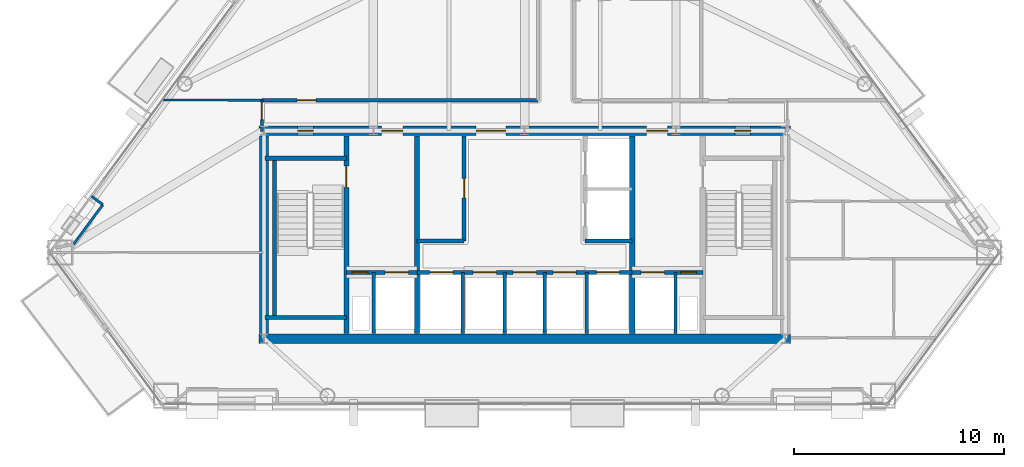
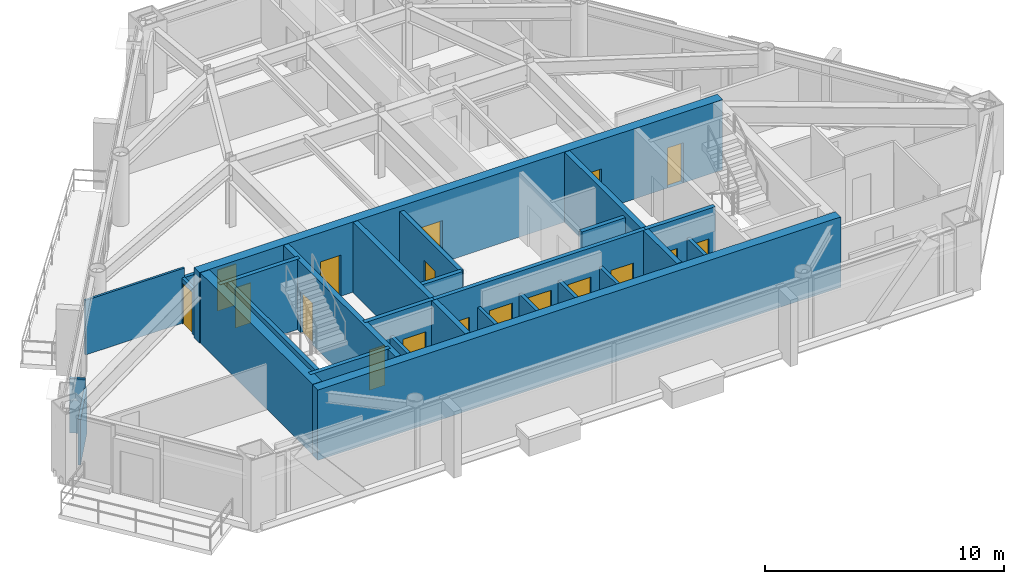
# One storey, part 7 of 11: 26 walls, 18 doors, 18 openings.
"""IFC4 building model written with IfcOpenShell, lengths in metres."""

from ifc_helpers import new_model, si_unit, direction, frame, frame_2d, origin, place, context, subcontext, project, spatial, rectangle, extrude, material, layer, layer_set, type_object, element, fill, save


model = new_model("IFC4")

# Units and contexts
model_context = context("Model", 3, precision=1e-05, world=origin(), true_north=direction((0.0, 1.0)))
body_context = subcontext(model_context, "Body", "Model", "MODEL_VIEW")
ifc_project = project(units=[si_unit("LENGTHUNIT", "METRE"), si_unit("AREAUNIT", "SQUARE_METRE"), si_unit("VOLUMEUNIT", "CUBIC_METRE"), si_unit("PLANEANGLEUNIT", "RADIAN"), si_unit("MASSUNIT", "GRAM", prefix="KILO")], contexts=[model_context])

# Site, building, storey
site_placement = place(None, origin())
site = spatial("IfcSite", under=ifc_project, at=site_placement, CompositionType="ELEMENT")
building_placement = place(site_placement, origin())
building = spatial("IfcBuilding", under=site, at=building_placement, Name="Talgorran Terracotta Tower", CompositionType="ELEMENT")
storey_placement = place(building_placement, frame((0.0, 0.0, 129.300048828125)))
storey = spatial("IfcBuildingStorey", under=building, at=storey_placement, Name="L33", CompositionType="ELEMENT", Elevation=129.300048828125)

# Walls
ifc_material_1 = material(Name="Concrete C50/60", Category="concrete")
ifc_layer_1 = layer(ifc_material_1, 0.199951171875, Name="WT_CORE_200")
ifc_layer_set_1 = layer_set([ifc_layer_1], Name="Concrete C50/60")
wall_type_1 = type_object("IfcWallType", Name="WT_CORE_200", PredefinedType="SOLIDWALL", material=ifc_layer_set_1)
for number, where, z_axis, x_axis, name in (
    (1, (-12.35009765625, -5.52001953125, 0.0), (0.0, 0.0, 1.0), (1.0, 0.0, 0.0), "WL-L33-CW-ST1-N"),
    (2, (-12.35009765625, -13.10009765625, 0.0), (0.0, 0.0, 1.0), (1.0, 0.0, 0.0), "WL-L33-CW-ST1-S"),
):
    element("IfcWall", number, at=place(storey_placement, frame(where, z_axis=z_axis, x_axis=x_axis)), inside=storey, type_object=wall_type_1, Name=name, PredefinedType="SOLIDWALL", context=body_context, shape_type="SweptSolid", body=[
        extrude(rectangle(XDim=3.8701171875, YDim=0.199951171875, at=frame_2d((1.93505859375, 0.0))), origin(), (0.0, 0.0, 1.0), 3.599853515625),
    ])
wall_1_placement = place(storey_placement, frame((-11.89990234375, -13.10009765625, 0.0), z_axis=(0.0, 0.0, 1.0), x_axis=(0.0, 1.0, 0.0)))
element("IfcWall", 3, at=wall_1_placement, inside=storey, type_object=wall_type_1, Name="WL-L33-CW-ST1-W", PredefinedType="SOLIDWALL", context=body_context, shape_type="SweptSolid", body=[
    extrude(rectangle(XDim=7.580078125, YDim=0.199951171875, at=frame_2d((3.7900390625, 0.0))), origin(), (0.0, 0.0, 1.0), 3.599853515625),
])

# Wall, openings, doors
wall_2_placement = place(storey_placement, frame((-8.47998046875, -10.949951171875, 0.0), z_axis=(0.0, 0.0, 1.0), x_axis=(1.0, 0.0, 0.0)))
wall_2 = element("IfcWall", 4, at=wall_2_placement, inside=storey, type_object=wall_type_1, Name="WL-L33-CW-H-SBW", PredefinedType="SOLIDWALL", context=body_context, shape_type="SweptSolid", body=[
    extrude(rectangle(XDim=3.35986328125, YDim=0.199951171875, at=frame_2d((1.679931640625, 0.0))), origin(), (0.0, 0.0, 1.0), 3.599853515625),
])
opening_1_placement = place(wall_2_placement, frame((0.280029296875, 0.0, 0.0)))
opening_1 = element("IfcOpeningElement", 5, at=opening_1_placement, cuts=wall_2, Name="Opening DR-RSW", PredefinedType="OPENING", context=body_context, shape_type="SweptSolid", body=[
    extrude(rectangle(XDim=0.756, YDim=2.054048828125, at=frame_2d((0.375, 1.027099609375))), frame((0.0, 0.10986328125, 0.0), z_axis=(0.0, -1.0, 0.0), x_axis=(1.0, 0.0, 0.0)), (0.0, 0.0, 1.0), 0.219970703125),
])
opening_2_placement = place(wall_2_placement, frame((1.85009765625, 0.0, 0.0)))
opening_2 = element("IfcOpeningElement", 6, at=opening_2_placement, cuts=wall_2, Name="Opening LD-FFL1", PredefinedType="OPENING", context=body_context, shape_type="SweptSolid", body=[
    extrude(rectangle(XDim=1.10609765625, YDim=2.10409765625, at=frame_2d((0.550048828125, 1.052001953125))), frame((0.0, 0.10986328125, 0.0), z_axis=(0.0, -1.0, 0.0), x_axis=(1.0, 0.0, 0.0)), (0.0, 0.0, 1.0), 0.219970703125),
])
ifc_material_2 = material(Name="Brushed Stainless Steel Grade 304", Category="steel")
door_type_1 = type_object("IfcDoorType", Name="DT_LIFT_LD1100", OperationType="DOUBLE_DOOR_SLIDING", PredefinedType="DOOR", material=ifc_material_2)
door_1_placement = place(opening_2_placement, origin())
door_1 = element("IfcDoor", 7, at=door_1_placement, inside=storey, type_object=door_type_1, Name="L33 Lift Landing Door LD-FFL1", OperationType="DOUBLE_DOOR_SLIDING", OverallHeight=2.10009765625, OverallWidth=1.10009765625, PredefinedType="DOOR", context=body_context, shape_type="SweptSolid", body=[
    extrude(rectangle(XDim=1.10009765625, YDim=2.10009765625, at=frame_2d((0.550048828125, 1.050048828125))), frame((0.0, 0.02490234375, 0.0), z_axis=(0.0, -1.0, 0.0), x_axis=(1.0, 0.0, 0.0)), (0.0, 0.0, 1.0), 0.050048828125),
])
fill(opening_2, door_1)
ifc_material_3 = material(Name="Fire-Rated Pressed Steel", Category="steel")
door_type_2 = type_object("IfcDoorType", Name="DT_RISER_750", OperationType="NOTDEFINED", PredefinedType="DOOR", material=ifc_material_3)
door_2_placement = place(opening_1_placement, origin())
door_2 = element("IfcDoor", 8, at=door_2_placement, inside=storey, type_object=door_type_2, Name="DR-RSW", OperationType="SINGLE_SWING_LEFT", OverallHeight=2.050048828125, OverallWidth=0.75, PredefinedType="DOOR", context=body_context, shape_type="SweptSolid", body=[
    extrude(rectangle(XDim=0.75, YDim=2.050048828125, at=frame_2d((0.375, 1.02490234375))), frame((0.0, 0.02490234375, 0.0), z_axis=(0.0, -1.0, 0.0), x_axis=(1.0, 0.0, 0.0)), (0.0, 0.0, 1.0), 0.050048828125),
])
fill(opening_1, door_2)

wall_3_placement = place(storey_placement, frame((-5.1201171875, -10.949951171875, 0.0), z_axis=(0.0, 0.0, 1.0), x_axis=(1.0, 0.0, 0.0)))
wall_3 = element("IfcWall", 9, at=wall_3_placement, inside=storey, type_object=wall_type_1, Name="WL-L33-CW-H-SBC", PredefinedType="SOLIDWALL", context=body_context, shape_type="SweptSolid", body=[
    extrude(rectangle(XDim=10.240234375, YDim=0.199951171875, at=frame_2d((5.1201171875, 0.0))), origin(), (0.0, 0.0, 1.0), 3.599853515625),
])
opening_3_placement = place(wall_3_placement, frame((0.60009765625, 0.0, 0.0)))
opening_3 = element("IfcOpeningElement", 10, at=opening_3_placement, cuts=wall_3, Name="Opening LD-OB1", PredefinedType="OPENING", context=body_context, shape_type="SweptSolid", body=[
    extrude(rectangle(XDim=1.10609765625, YDim=2.10409765625, at=frame_2d((0.550048828125, 1.052001953125))), frame((0.0, 0.10986328125, 0.0), z_axis=(0.0, -1.0, 0.0), x_axis=(1.0, 0.0, 0.0)), (0.0, 0.0, 1.0), 0.219970703125),
])
opening_4_placement = place(wall_3_placement, frame((2.669921875, 0.0, 0.0)))
opening_4 = element("IfcOpeningElement", 11, at=opening_4_placement, cuts=wall_3, Name="Opening LD-PLH1", PredefinedType="OPENING", context=body_context, shape_type="SweptSolid", body=[
    extrude(rectangle(XDim=1.10609765625, YDim=2.10409765625, at=frame_2d((0.550048828125, 1.052001953125))), frame((0.0, 0.10986328125, 0.0), z_axis=(0.0, -1.0, 0.0), x_axis=(1.0, 0.0, 0.0)), (0.0, 0.0, 1.0), 0.219970703125),
])
opening_5_placement = place(wall_3_placement, frame((4.570068359375, 0.0, 0.0)))
opening_5 = element("IfcOpeningElement", 12, at=opening_5_placement, cuts=wall_3, Name="Opening LD-PLH2", PredefinedType="OPENING", context=body_context, shape_type="SweptSolid", body=[
    extrude(rectangle(XDim=1.10609765625, YDim=2.10409765625, at=frame_2d((0.550048828125, 1.052001953125))), frame((0.0, 0.10986328125, 0.0), z_axis=(0.0, -1.0, 0.0), x_axis=(1.0, 0.0, 0.0)), (0.0, 0.0, 1.0), 0.219970703125),
])
opening_6_placement = place(wall_3_placement, frame((6.469970703125, 0.0, 0.0)))
opening_6 = element("IfcOpeningElement", 13, at=opening_6_placement, cuts=wall_3, Name="Opening LD-PLH3", PredefinedType="OPENING", context=body_context, shape_type="SweptSolid", body=[
    extrude(rectangle(XDim=1.10609765625, YDim=2.10409765625, at=frame_2d((0.550048828125, 1.052001953125))), frame((0.0, 0.10986328125, 0.0), z_axis=(0.0, -1.0, 0.0), x_axis=(1.0, 0.0, 0.0)), (0.0, 0.0, 1.0), 0.219970703125),
])
opening_7_placement = place(wall_3_placement, frame((8.5400390625, 0.0, 0.0)))
opening_7 = element("IfcOpeningElement", 14, at=opening_7_placement, cuts=wall_3, Name="Opening LD-SVL1", PredefinedType="OPENING", context=body_context, shape_type="SweptSolid", body=[
    extrude(rectangle(XDim=1.10609765625, YDim=2.10409765625, at=frame_2d((0.550048828125, 1.052001953125))), frame((0.0, 0.10986328125, 0.0), z_axis=(0.0, -1.0, 0.0), x_axis=(1.0, 0.0, 0.0)), (0.0, 0.0, 1.0), 0.219970703125),
])
door_3_placement = place(opening_3_placement, origin())
door_3 = element("IfcDoor", 15, at=door_3_placement, inside=storey, type_object=door_type_1, Name="L33 Lift Landing Door LD-OB1", OperationType="DOUBLE_DOOR_SLIDING", OverallHeight=2.10009765625, OverallWidth=1.10009765625, PredefinedType="DOOR", context=body_context, shape_type="SweptSolid", body=[
    extrude(rectangle(XDim=1.10009765625, YDim=2.10009765625, at=frame_2d((0.550048828125, 1.050048828125))), frame((0.0, 0.02490234375, 0.0), z_axis=(0.0, -1.0, 0.0), x_axis=(1.0, 0.0, 0.0)), (0.0, 0.0, 1.0), 0.050048828125),
])
fill(opening_3, door_3)
door_4_placement = place(opening_4_placement, origin())
door_4 = element("IfcDoor", 16, at=door_4_placement, inside=storey, type_object=door_type_1, Name="L33 Lift Landing Door LD-PLH1", OperationType="DOUBLE_DOOR_SLIDING", OverallHeight=2.10009765625, OverallWidth=1.10009765625, PredefinedType="DOOR", context=body_context, shape_type="SweptSolid", body=[
    extrude(rectangle(XDim=1.10009765625, YDim=2.10009765625, at=frame_2d((0.550048828125, 1.050048828125))), frame((0.0, 0.02490234375, 0.0), z_axis=(0.0, -1.0, 0.0), x_axis=(1.0, 0.0, 0.0)), (0.0, 0.0, 1.0), 0.050048828125),
])
fill(opening_4, door_4)
door_5_placement = place(opening_5_placement, origin())
door_5 = element("IfcDoor", 17, at=door_5_placement, inside=storey, type_object=door_type_1, Name="L33 Lift Landing Door LD-PLH2", OperationType="DOUBLE_DOOR_SLIDING", OverallHeight=2.10009765625, OverallWidth=1.10009765625, PredefinedType="DOOR", context=body_context, shape_type="SweptSolid", body=[
    extrude(rectangle(XDim=1.10009765625, YDim=2.10009765625, at=frame_2d((0.550048828125, 1.050048828125))), frame((0.0, 0.02490234375, 0.0), z_axis=(0.0, -1.0, 0.0), x_axis=(1.0, 0.0, 0.0)), (0.0, 0.0, 1.0), 0.050048828125),
])
fill(opening_5, door_5)
door_6_placement = place(opening_6_placement, origin())
door_6 = element("IfcDoor", 18, at=door_6_placement, inside=storey, type_object=door_type_1, Name="L33 Lift Landing Door LD-PLH3", OperationType="DOUBLE_DOOR_SLIDING", OverallHeight=2.10009765625, OverallWidth=1.10009765625, PredefinedType="DOOR", context=body_context, shape_type="SweptSolid", body=[
    extrude(rectangle(XDim=1.10009765625, YDim=2.10009765625, at=frame_2d((0.550048828125, 1.050048828125))), frame((0.0, 0.02490234375, 0.0), z_axis=(0.0, -1.0, 0.0), x_axis=(1.0, 0.0, 0.0)), (0.0, 0.0, 1.0), 0.050048828125),
])
fill(opening_6, door_6)
door_7_placement = place(opening_7_placement, origin())
door_7 = element("IfcDoor", 19, at=door_7_placement, inside=storey, type_object=door_type_1, Name="L33 Lift Landing Door LD-SVL1", OperationType="DOUBLE_DOOR_SLIDING", OverallHeight=2.10009765625, OverallWidth=1.10009765625, PredefinedType="DOOR", context=body_context, shape_type="SweptSolid", body=[
    extrude(rectangle(XDim=1.10009765625, YDim=2.10009765625, at=frame_2d((0.550048828125, 1.050048828125))), frame((0.0, 0.02490234375, 0.0), z_axis=(0.0, -1.0, 0.0), x_axis=(1.0, 0.0, 0.0)), (0.0, 0.0, 1.0), 0.050048828125),
])
fill(opening_7, door_7)

wall_4_placement = place(storey_placement, frame((5.1201171875, -10.949951171875, 0.0), z_axis=(0.0, 0.0, 1.0), x_axis=(1.0, 0.0, 0.0)))
wall_4 = element("IfcWall", 20, at=wall_4_placement, inside=storey, type_object=wall_type_1, Name="WL-L33-CW-H-SBE", PredefinedType="SOLIDWALL", context=body_context, shape_type="SweptSolid", body=[
    extrude(rectangle(XDim=3.35986328125, YDim=0.199951171875, at=frame_2d((1.679931640625, 0.0))), origin(), (0.0, 0.0, 1.0), 3.599853515625),
])
opening_8_placement = place(wall_4_placement, frame((0.419921875, 0.0, 0.0)))
opening_8 = element("IfcOpeningElement", 21, at=opening_8_placement, cuts=wall_4, Name="Opening LD-FFL2", PredefinedType="OPENING", context=body_context, shape_type="SweptSolid", body=[
    extrude(rectangle(XDim=1.10609765625, YDim=2.10409765625, at=frame_2d((0.550048828125, 1.052001953125))), frame((0.0, 0.10986328125, 0.0), z_axis=(0.0, -1.0, 0.0), x_axis=(1.0, 0.0, 0.0)), (0.0, 0.0, 1.0), 0.219970703125),
])
opening_9_placement = place(wall_4_placement, frame((2.300048828125, 0.0, 0.0)))
opening_9 = element("IfcOpeningElement", 22, at=opening_9_placement, cuts=wall_4, Name="Opening DR-RSE", PredefinedType="OPENING", context=body_context, shape_type="SweptSolid", body=[
    extrude(rectangle(XDim=0.756, YDim=2.054048828125, at=frame_2d((0.375, 1.027099609375))), frame((0.0, 0.10986328125, 0.0), z_axis=(0.0, -1.0, 0.0), x_axis=(1.0, 0.0, 0.0)), (0.0, 0.0, 1.0), 0.219970703125),
])
door_8_placement = place(opening_8_placement, origin())
door_8 = element("IfcDoor", 23, at=door_8_placement, inside=storey, type_object=door_type_1, Name="L33 Lift Landing Door LD-FFL2", OperationType="DOUBLE_DOOR_SLIDING", OverallHeight=2.10009765625, OverallWidth=1.10009765625, PredefinedType="DOOR", context=body_context, shape_type="SweptSolid", body=[
    extrude(rectangle(XDim=1.10009765625, YDim=2.10009765625, at=frame_2d((0.550048828125, 1.050048828125))), frame((0.0, 0.02490234375, 0.0), z_axis=(0.0, -1.0, 0.0), x_axis=(1.0, 0.0, 0.0)), (0.0, 0.0, 1.0), 0.050048828125),
])
fill(opening_8, door_8)
door_9_placement = place(opening_9_placement, origin())
door_9 = element("IfcDoor", 24, at=door_9_placement, inside=storey, type_object=door_type_2, Name="DR-RSE", OperationType="SINGLE_SWING_RIGHT", OverallHeight=2.050048828125, OverallWidth=0.75, PredefinedType="DOOR", context=body_context, shape_type="SweptSolid", body=[
    extrude(rectangle(XDim=0.75, YDim=2.050048828125, at=frame_2d((0.375, 1.02490234375))), frame((0.0, 0.02490234375, 0.0), z_axis=(0.0, -1.0, 0.0), x_axis=(1.0, 0.0, 0.0)), (0.0, 0.0, 1.0), 0.050048828125),
])
fill(opening_9, door_9)

# Wall, opening, door
wall_5_placement = place(storey_placement, frame((-2.8798828125, -9.449951171875, 0.0), z_axis=(0.0, 0.0, 1.0), x_axis=(0.0, 1.0, 0.0)))
wall_5 = element("IfcWall", 25, at=wall_5_placement, inside=storey, type_object=wall_type_1, Name="WL-L33-CW-V-W3", PredefinedType="SOLIDWALL", context=body_context, shape_type="SweptSolid", body=[
    extrude(rectangle(XDim=5.0, YDim=0.199951171875, at=frame_2d((2.5, 0.0))), origin(), (0.0, 0.0, 1.0), 3.349853515625),
])
opening_10_placement = place(wall_5_placement, frame((2.050048828125, 0.0, 0.0)))
opening_10 = element("IfcOpeningElement", 26, at=opening_10_placement, cuts=wall_5, Name="Opening DR-FRPLL-A", PredefinedType="OPENING", context=body_context, shape_type="SweptSolid", body=[
    extrude(rectangle(XDim=0.925921875, YDim=2.10409765625, at=frame_2d((0.4599609375, 1.052001953125))), frame((0.0, 0.10986328125, 0.0), z_axis=(0.0, -1.0, 0.0), x_axis=(1.0, 0.0, 0.0)), (0.0, 0.0, 1.0), 0.219970703125),
])
ifc_material_4 = material(Name="Solid-Core Painted Timber", Category="wood")
door_type_3 = type_object("IfcDoorType", Name="DT_INT_920", OperationType="NOTDEFINED", PredefinedType="DOOR", material=ifc_material_4)
door_10_placement = place(opening_10_placement, origin())
door_10 = element("IfcDoor", 27, at=door_10_placement, inside=storey, type_object=door_type_3, Name="DR-FRPLL-A", OperationType="SINGLE_SWING_LEFT", OverallHeight=2.10009765625, OverallWidth=0.919921875, PredefinedType="DOOR", context=body_context, shape_type="SweptSolid", body=[
    extrude(rectangle(XDim=0.919921875, YDim=2.10009765625, at=frame_2d((0.4599609375, 1.050048828125))), frame((0.0, 0.02490234375, 0.0), z_axis=(0.0, -1.0, 0.0), x_axis=(1.0, 0.0, 0.0)), (0.0, 0.0, 1.0), 0.050048828125),
])
fill(opening_10, door_10)

# Walls
for number, where, z_axis, x_axis, name in (
    (28, (-5.1201171875, -9.449951171875, 0.0), (0.0, 0.0, 1.0), (1.0, 0.0, 0.0), "WL-L33-CW-H-W4"),
    (29, (2.8798828125, -9.449951171875, 0.0), (0.0, 0.0, 1.0), (1.0, 0.0, 0.0), "WL-L33-CW-H-E4"),
):
    element("IfcWall", number, at=place(storey_placement, frame(where, z_axis=z_axis, x_axis=x_axis)), inside=storey, type_object=wall_type_1, Name=name, PredefinedType="SOLIDWALL", context=body_context, shape_type="SweptSolid", body=[
        extrude(rectangle(XDim=2.240234375, YDim=0.199951171875, at=frame_2d((1.1201171875, 0.0))), origin(), (0.0, 0.0, 1.0), 3.349853515625),
    ])

# Wall, opening, door
ifc_layer_2 = layer(ifc_material_1, 0.25, Name="WT_CORE_250")
ifc_layer_set_2 = layer_set([ifc_layer_2], Name="Concrete C50/60")
wall_type_2 = type_object("IfcWallType", Name="WT_CORE_250", PredefinedType="SHEAR", material=ifc_layer_set_2)
wall_6_placement = place(storey_placement, frame((-8.47998046875, -13.85009765625, 0.0), z_axis=(0.0, 0.0, 1.0), x_axis=(0.0, 1.0, 0.0)))
wall_6 = element("IfcWall", 30, at=wall_6_placement, inside=storey, type_object=wall_type_2, Name="WL-L33-CW-V-W1", PredefinedType="SHEAR", context=body_context, shape_type="SweptSolid", body=[
    extrude(rectangle(XDim=9.400146484375, YDim=0.25, at=frame_2d((4.7001953125, 0.0))), origin(), (0.0, 0.0, 1.0), 3.599853515625),
])
opening_11_placement = place(wall_6_placement, frame((6.949951171875, 0.0, 0.0)))
opening_11 = element("IfcOpeningElement", 31, at=opening_11_placement, cuts=wall_6, Name="Opening DR-ST01", PredefinedType="OPENING", context=body_context, shape_type="SweptSolid", body=[
    extrude(rectangle(XDim=1.006, YDim=2.10409765625, at=frame_2d((0.5, 1.052001953125))), frame((0.0, 0.135009765625, 0.0), z_axis=(0.0, -1.0, 0.0), x_axis=(1.0, 0.0, 0.0)), (0.0, 0.0, 1.0), 0.27001953125),
])
door_type_4 = type_object("IfcDoorType", Name="DT_FIRE_1000", OperationType="NOTDEFINED", PredefinedType="DOOR", material=ifc_material_3)
door_11_placement = place(opening_11_placement, origin())
door_11 = element("IfcDoor", 32, at=door_11_placement, inside=storey, type_object=door_type_4, Name="DR-ST01", OperationType="SINGLE_SWING_LEFT", OverallHeight=2.10009765625, OverallWidth=1.0, PredefinedType="DOOR", context=body_context, shape_type="SweptSolid", body=[
    extrude(rectangle(XDim=1.0, YDim=2.10009765625, at=frame_2d((0.5, 1.050048828125))), frame((0.0, 0.02490234375, 0.0), z_axis=(0.0, -1.0, 0.0), x_axis=(1.0, 0.0, 0.0)), (0.0, 0.0, 1.0), 0.050048828125),
])
fill(opening_11, door_11)

# Walls
for number, where, z_axis, x_axis, name in (
    (33, (-5.1201171875, -13.85009765625, 0.0), (0.0, 0.0, 1.0), (0.0, 1.0, 0.0), "WL-L33-CW-V-W2"),
    (34, (5.1201171875, -13.85009765625, 0.0), (0.0, 0.0, 1.0), (0.0, 1.0, 0.0), "WL-L33-CW-V-E2"),
):
    element("IfcWall", number, at=place(storey_placement, frame(where, z_axis=z_axis, x_axis=x_axis)), inside=storey, type_object=wall_type_2, Name=name, PredefinedType="SHEAR", context=body_context, shape_type="SweptSolid", body=[
        extrude(rectangle(XDim=9.400146484375, YDim=0.25, at=frame_2d((4.7001953125, 0.0))), origin(), (0.0, 0.0, 1.0), 3.599853515625),
    ])
ifc_material_5 = material(Name="Concrete C65/80", Category="concrete")
ifc_layer_3 = layer(ifc_material_5, 0.449951171875, Name="WT_CORE_EXT")
ifc_layer_set_3 = layer_set([ifc_layer_3], Name="Concrete C65/80")
wall_type_3 = type_object("IfcWallType", Name="WT_CORE_EXT", PredefinedType="SHEAR", material=ifc_layer_set_3)
wall_7_placement = place(storey_placement, frame((-12.64990234375, -14.10009765625, 0.0), z_axis=(0.0, 0.0, 1.0), x_axis=(1.0, 0.0, 0.0)))
element("IfcWall", 35, at=wall_7_placement, inside=storey, type_object=wall_type_3, Name="WL-L33-CW-OUT-S", PredefinedType="SHEAR", context=body_context, shape_type="SweptSolid", body=[
    extrude(rectangle(XDim=25.2998046875, YDim=0.449951171875, at=frame_2d((12.64990234375, 0.0))), origin(), (0.0, 0.0, 1.0), 3.599853515625),
])

# Wall, openings, doors
wall_8_placement = place(storey_placement, frame((-12.64990234375, -4.199951171875, 0.0), z_axis=(0.0, 0.0, 1.0), x_axis=(1.0, 0.0, 0.0)))
wall_8 = element("IfcWall", 36, at=wall_8_placement, inside=storey, type_object=wall_type_3, Name="WL-L33-CW-OUT-N", PredefinedType="SHEAR", context=body_context, shape_type="SweptSolid", body=[
    extrude(rectangle(XDim=25.2998046875, YDim=0.449951171875, at=frame_2d((12.64990234375, 0.0))), origin(), (0.0, 0.0, 1.0), 3.599853515625),
])
opening_12_placement = place(wall_8_placement, frame((1.85009765625, 0.0, 0.0)))
opening_12 = element("IfcOpeningElement", 37, at=opening_12_placement, cuts=wall_8, Name="Opening DR-CSN1", PredefinedType="OPENING", context=body_context, shape_type="SweptSolid", body=[
    extrude(rectangle(XDim=0.756, YDim=2.054048828125, at=frame_2d((0.375, 1.027099609375))), frame((0.0, 0.23486328125, 0.0), z_axis=(0.0, -1.0, 0.0), x_axis=(1.0, 0.0, 0.0)), (0.0, 0.0, 1.0), 0.469970703125),
])
opening_13_placement = place(wall_8_placement, frame((22.64990234375, 0.0, 0.0)))
opening_13 = element("IfcOpeningElement", 38, at=opening_13_placement, cuts=wall_8, Name="Opening DR-CSN2", PredefinedType="OPENING", context=body_context, shape_type="SweptSolid", body=[
    extrude(rectangle(XDim=0.756, YDim=2.054048828125, at=frame_2d((0.375, 1.027099609375))), frame((0.0, 0.23486328125, 0.0), z_axis=(0.0, -1.0, 0.0), x_axis=(1.0, 0.0, 0.0)), (0.0, 0.0, 1.0), 0.469970703125),
])
opening_14_placement = place(wall_8_placement, frame((5.85009765625, 0.0, 0.0)))
opening_14 = element("IfcOpeningElement", 39, at=opening_14_placement, cuts=wall_8, Name="Opening DR-FFLW-N", PredefinedType="OPENING", context=body_context, shape_type="SweptSolid", body=[
    extrude(rectangle(XDim=1.006, YDim=2.10409765625, at=frame_2d((0.5, 1.052001953125))), frame((0.0, 0.23486328125, 0.0), z_axis=(0.0, -1.0, 0.0), x_axis=(1.0, 0.0, 0.0)), (0.0, 0.0, 1.0), 0.469970703125),
])
opening_15_placement = place(wall_8_placement, frame((10.35009765625, 0.0, 0.0)))
opening_15 = element("IfcOpeningElement", 40, at=opening_15_placement, cuts=wall_8, Name="Opening DR-PLL-N", PredefinedType="OPENING", context=body_context, shape_type="SweptSolid", body=[
    extrude(rectangle(XDim=1.40590234375, YDim=2.15390234375, at=frame_2d((0.699951171875, 1.076904296875))), frame((0.0, 0.23486328125, 0.0), z_axis=(0.0, -1.0, 0.0), x_axis=(1.0, 0.0, 0.0)), (0.0, 0.0, 1.0), 0.469970703125),
])
opening_16_placement = place(wall_8_placement, frame((18.449951171875, 0.0, 0.0)))
opening_16 = element("IfcOpeningElement", 41, at=opening_16_placement, cuts=wall_8, Name="Opening DR-FFLE-N", PredefinedType="OPENING", context=body_context, shape_type="SweptSolid", body=[
    extrude(rectangle(XDim=1.006, YDim=2.10409765625, at=frame_2d((0.5, 1.052001953125))), frame((0.0, 0.23486328125, 0.0), z_axis=(0.0, -1.0, 0.0), x_axis=(1.0, 0.0, 0.0)), (0.0, 0.0, 1.0), 0.469970703125),
])
ifc_material_6 = material(Name="Acoustic Glazed Timber", Category="wood")
door_type_5 = type_object("IfcDoorType", Name="DT_DOUBLE_1400", OperationType="DOUBLE_DOOR_SINGLE_SWING", PredefinedType="DOOR", material=ifc_material_6)
door_12_placement = place(opening_15_placement, origin())
door_12 = element("IfcDoor", 42, at=door_12_placement, inside=storey, type_object=door_type_5, Name="DR-PLL-N", OperationType="DOUBLE_DOOR_SINGLE_SWING", OverallHeight=2.14990234375, OverallWidth=1.39990234375, PredefinedType="DOOR", context=body_context, shape_type="SweptSolid", body=[
    extrude(rectangle(XDim=1.39990234375, YDim=2.14990234375, at=frame_2d((0.699951171875, 1.074951171875))), frame((0.0, 0.02490234375, 0.0), z_axis=(0.0, -1.0, 0.0), x_axis=(1.0, 0.0, 0.0)), (0.0, 0.0, 1.0), 0.050048828125),
])
fill(opening_15, door_12)
door_13_placement = place(opening_14_placement, origin())
door_13 = element("IfcDoor", 43, at=door_13_placement, inside=storey, type_object=door_type_4, Name="DR-FFLW-N", OperationType="SINGLE_SWING_LEFT", OverallHeight=2.10009765625, OverallWidth=1.0, PredefinedType="DOOR", context=body_context, shape_type="SweptSolid", body=[
    extrude(rectangle(XDim=1.0, YDim=2.10009765625, at=frame_2d((0.5, 1.050048828125))), frame((0.0, 0.02490234375, 0.0), z_axis=(0.0, -1.0, 0.0), x_axis=(1.0, 0.0, 0.0)), (0.0, 0.0, 1.0), 0.050048828125),
])
fill(opening_14, door_13)
door_14_placement = place(opening_16_placement, origin())
door_14 = element("IfcDoor", 44, at=door_14_placement, inside=storey, type_object=door_type_4, Name="DR-FFLE-N", OperationType="SINGLE_SWING_RIGHT", OverallHeight=2.10009765625, OverallWidth=1.0, PredefinedType="DOOR", context=body_context, shape_type="SweptSolid", body=[
    extrude(rectangle(XDim=1.0, YDim=2.10009765625, at=frame_2d((0.5, 1.050048828125))), frame((0.0, 0.02490234375, 0.0), z_axis=(0.0, -1.0, 0.0), x_axis=(1.0, 0.0, 0.0)), (0.0, 0.0, 1.0), 0.050048828125),
])
fill(opening_16, door_14)
door_15_placement = place(opening_12_placement, origin())
door_15 = element("IfcDoor", 45, at=door_15_placement, inside=storey, type_object=door_type_2, Name="DR-CSN1", OperationType="SINGLE_SWING_LEFT", OverallHeight=2.050048828125, OverallWidth=0.75, PredefinedType="DOOR", context=body_context, shape_type="SweptSolid", body=[
    extrude(rectangle(XDim=0.75, YDim=2.050048828125, at=frame_2d((0.375, 1.02490234375))), frame((0.0, 0.02490234375, 0.0), z_axis=(0.0, -1.0, 0.0), x_axis=(1.0, 0.0, 0.0)), (0.0, 0.0, 1.0), 0.050048828125),
])
fill(opening_12, door_15)
door_16_placement = place(opening_13_placement, origin())
door_16 = element("IfcDoor", 46, at=door_16_placement, inside=storey, type_object=door_type_2, Name="DR-CSN2", OperationType="SINGLE_SWING_RIGHT", OverallHeight=2.050048828125, OverallWidth=0.75, PredefinedType="DOOR", context=body_context, shape_type="SweptSolid", body=[
    extrude(rectangle(XDim=0.75, YDim=2.050048828125, at=frame_2d((0.375, 1.02490234375))), frame((0.0, 0.02490234375, 0.0), z_axis=(0.0, -1.0, 0.0), x_axis=(1.0, 0.0, 0.0)), (0.0, 0.0, 1.0), 0.050048828125),
])
fill(opening_13, door_16)

# Wall
wall_9_placement = place(storey_placement, frame((-12.39990234375, -13.85009765625, 0.0), z_axis=(0.0, 0.0, 1.0), x_axis=(0.0, 1.0, 0.0)))
element("IfcWall", 47, at=wall_9_placement, inside=storey, type_object=wall_type_3, Name="WL-L33-CW-OUT-W", PredefinedType="SHEAR", context=body_context, shape_type="SweptSolid", body=[
    extrude(rectangle(XDim=9.400146484375, YDim=0.449951171875, at=frame_2d((4.7001953125, 0.0))), origin(), (0.0, 0.0, 1.0), 3.599853515625),
])

# Wall, opening, door
ifc_material_7 = material(Name="Fire-Rated Steel Stud Plasterboard", Category="steel")
ifc_layer_4 = layer(ifc_material_7, 0.14990234375, Name="WT_FIRE_150")
ifc_layer_set_4 = layer_set([ifc_layer_4], Name="Fire-Rated Steel Stud Plasterboard")
wall_type_4 = type_object("IfcWallType", Name="WT_FIRE_150", PredefinedType="PARTITIONING", material=ifc_layer_set_4)
wall_10_placement = place(storey_placement, frame((-12.5, -2.760009765625, 0.0), z_axis=(0.0, 0.0, 1.0), x_axis=(1.0, 0.0, 0.0)))
wall_10 = element("IfcWall", 48, at=wall_10_placement, inside=storey, type_object=wall_type_4, Name="WL-L33-W-L33-R02", PredefinedType="PARTITIONING", context=body_context, shape_type="SweptSolid", body=[
    extrude(rectangle(XDim=13.139892578125, YDim=0.14990234375, at=frame_2d((6.56982421875, 0.0))), origin(), (0.0, 0.0, 1.0), 2.324951171875),
])
opening_17_placement = place(wall_10_placement, frame((1.6748046875, 0.0, 0.0)))
opening_17 = element("IfcOpeningElement", 49, at=opening_17_placement, cuts=wall_10, Name="Opening DR-L33-R06", PredefinedType="OPENING", context=body_context, shape_type="SweptSolid", body=[
    extrude(rectangle(XDim=0.90590234375, YDim=2.10409765625, at=frame_2d((0.449951171875, 1.052001953125))), frame((0.0, 0.0849609375, 0.0), z_axis=(0.0, -1.0, 0.0), x_axis=(1.0, 0.0, 0.0)), (0.0, 0.0, 1.0), 0.169921875),
])
ifc_material_8 = material(Name="Fire-Rated Timber Core", Category="wood")
door_type_6 = type_object("IfcDoorType", Name="DT_FIRE_900", OperationType="NOTDEFINED", PredefinedType="DOOR", material=ifc_material_8)
door_17_placement = place(opening_17_placement, origin())
door_17 = element("IfcDoor", 50, at=door_17_placement, inside=storey, type_object=door_type_6, Name="DR-L33-R06", OperationType="SINGLE_SWING_RIGHT", OverallHeight=2.10009765625, OverallWidth=0.89990234375, PredefinedType="DOOR", context=body_context, shape_type="SweptSolid", body=[
    extrude(rectangle(XDim=0.89990234375, YDim=2.10009765625, at=frame_2d((0.449951171875, 1.050048828125))), frame((0.0, 0.02490234375, 0.0), z_axis=(0.0, -1.0, 0.0), x_axis=(1.0, 0.0, 0.0)), (0.0, 0.0, 1.0), 0.050048828125),
])
fill(opening_17, door_17)

wall_11_placement = place(storey_placement, frame((-12.5, -4.239990234375, 0.0), z_axis=(0.0, 0.0, 1.0), x_axis=(0.0, 1.0, 0.0)))
wall_11 = element("IfcWall", 51, at=wall_11_placement, inside=storey, type_object=wall_type_4, Name="WL-L33-W-L33-R13", PredefinedType="PARTITIONING", context=body_context, shape_type="SweptSolid", body=[
    extrude(rectangle(XDim=1.47998046875, YDim=0.14990234375, at=frame_2d((0.739990234375, 0.0))), origin(), (0.0, 0.0, 1.0), 2.324951171875),
])
opening_18_placement = place(wall_11_placement, frame((0.56005859375, 0.0, 0.0)))
opening_18 = element("IfcOpeningElement", 52, at=opening_18_placement, cuts=wall_11, Name="Opening DR-L33-R15", PredefinedType="OPENING", context=body_context, shape_type="SweptSolid", body=[
    extrude(rectangle(XDim=0.826068359375, YDim=2.10409765625, at=frame_2d((0.41015625, 1.052001953125))), frame((0.0, 0.0849609375, 0.0), z_axis=(0.0, -1.0, 0.0), x_axis=(1.0, 0.0, 0.0)), (0.0, 0.0, 1.0), 0.169921875),
])
ifc_material_9 = material(Name="Moisture-Resistant Solid Timber", Category="wood")
door_type_7 = type_object("IfcDoorType", Name="DT_INT_820", OperationType="NOTDEFINED", PredefinedType="DOOR", material=ifc_material_9)
door_18_placement = place(opening_18_placement, origin())
door_18 = element("IfcDoor", 53, at=door_18_placement, inside=storey, type_object=door_type_7, Name="DR-L33-R15", OperationType="SINGLE_SWING_LEFT", OverallHeight=2.10009765625, OverallWidth=0.820068359375, PredefinedType="DOOR", context=body_context, shape_type="SweptSolid", body=[
    extrude(rectangle(XDim=0.820068359375, YDim=2.10009765625, at=frame_2d((0.41015625, 1.050048828125))), frame((0.0, 0.02490234375, 0.0), z_axis=(0.0, -1.0, 0.0), x_axis=(1.0, 0.0, 0.0)), (0.0, 0.0, 1.0), 0.050048828125),
])
fill(opening_18, door_18)

# Walls
ifc_material_10 = material(Name="Lightweight Steel Stud Partition", Category="steel")
ifc_layer_5 = layer(ifc_material_10, 0.10498046875, Name="WT_PART_110")
ifc_layer_set_5 = layer_set([ifc_layer_5], Name="Lightweight Steel Stud Partition")
wall_type_5 = type_object("IfcWallType", Name="WT_PART_110", PredefinedType="PARTITIONING", material=ifc_layer_set_5)
wall_12_placement = place(storey_placement, frame((-17.22802734375, -2.740234375, 0.0), z_axis=(0.0, 0.0, 1.0), x_axis=(0.999991471145, -0.004130089188, 0.0)))
element("IfcWall", 54, at=wall_12_placement, inside=storey, type_object=wall_type_5, Name="WL-L33-W-L33-R24", PredefinedType="PARTITIONING", context=body_context, shape_type="SweptSolid", body=[
    extrude(rectangle(XDim=4.7880859375, YDim=0.10498046875, at=frame_2d((2.39404296875, 0.0))), origin(), (0.0, 0.0, 1.0), 2.7919921875),
])
ifc_material_11 = material(Name="Insulated Steel Stud Plasterboard", Category="steel")
ifc_layer_6 = layer(ifc_material_11, 0.1201171875, Name="WT_PART_120")
ifc_layer_set_6 = layer_set([ifc_layer_6], Name="Insulated Steel Stud Plasterboard")
wall_type_6 = type_object("IfcWallType", Name="WT_PART_120", PredefinedType="PARTITIONING", material=ifc_layer_set_6)
wall_13_placement = place(storey_placement, frame((-20.06640625, -7.724853515625, 0.0), z_axis=(0.0, 0.0, 1.0), x_axis=(-0.594385220585, -0.804180458324, 0.0)))
element("IfcWall", 55, at=wall_13_placement, inside=storey, type_object=wall_type_6, Name="WL-L33-BW-L33-08", PredefinedType="PARTITIONING", context=body_context, shape_type="SweptSolid", body=[
    extrude(rectangle(XDim=2.3505859375, YDim=0.1201171875, at=frame_2d((1.17529296875, 0.0))), origin(), (0.0, 0.0, 1.0), 2.324951171875),
])
wall_14_placement = place(storey_placement, frame((-20.605224609375, -7.326416015625, 0.0), z_axis=(0.0, 0.0, 1.0), x_axis=(0.804047409182, -0.594565188847, 0.0)))
element("IfcWall", 56, at=wall_14_placement, inside=storey, type_object=wall_type_6, Name="WL-L33-BW-L33-07", PredefinedType="PARTITIONING", context=body_context, shape_type="SweptSolid", body=[
    extrude(rectangle(XDim=0.670166015625, YDim=0.1201171875, at=frame_2d((0.3349609375, 0.0))), origin(), (0.0, 0.0, 1.0), 2.7919921875),
])
ifc_material_12 = material(Name="Fire-Rated Shaftwall")
ifc_layer_7 = layer(ifc_material_12, 0.159912109375, Name="WT_PART_150")
ifc_layer_set_7 = layer_set([ifc_layer_7], Name="Fire-Rated Shaftwall")
wall_type_7 = type_object("IfcWallType", Name="WT_PART_150", PredefinedType="PARTITIONING", material=ifc_layer_set_7)
for number, where, z_axis, x_axis, name in (
    (57, (-7.179931640625, -13.85009765625, 0.0), (0.0, 0.0, 1.0), (0.0, 1.0, 0.0), "WL-L33-CW-RSW"),
    (58, (7.179931640625, -13.85009765625, 0.0), (0.0, 0.0, 1.0), (0.0, 1.0, 0.0), "WL-L33-CW-RSE"),
    (59, (-2.949951171875, -13.85009765625, 0.0), (0.0, 0.0, 1.0), (0.0, 1.0, 0.0), "WL-L33-CW-OB-E"),
    (60, (2.949951171875, -13.85009765625, 0.0), (0.0, 0.0, 1.0), (0.0, 1.0, 0.0), "WL-L33-CW-SV-W"),
    (61, (-0.949951171875, -13.85009765625, 0.0), (0.0, 0.0, 1.0), (0.0, 1.0, 0.0), "WL-L33-CW-PLH-D1"),
    (62, (0.949951171875, -13.85009765625, 0.0), (0.0, 0.0, 1.0), (0.0, 1.0, 0.0), "WL-L33-CW-PLH-D2"),
):
    element("IfcWall", number, at=place(storey_placement, frame(where, z_axis=z_axis, x_axis=x_axis)), inside=storey, type_object=wall_type_7, Name=name, PredefinedType="PARTITIONING", context=body_context, shape_type="SweptSolid", body=[
        extrude(rectangle(XDim=2.900146484375, YDim=0.159912109375, at=frame_2d((1.4501953125, 0.0))), origin(), (0.0, 0.0, 1.0), 2.474853515625),
    ])

save(model, "model.ifc")
